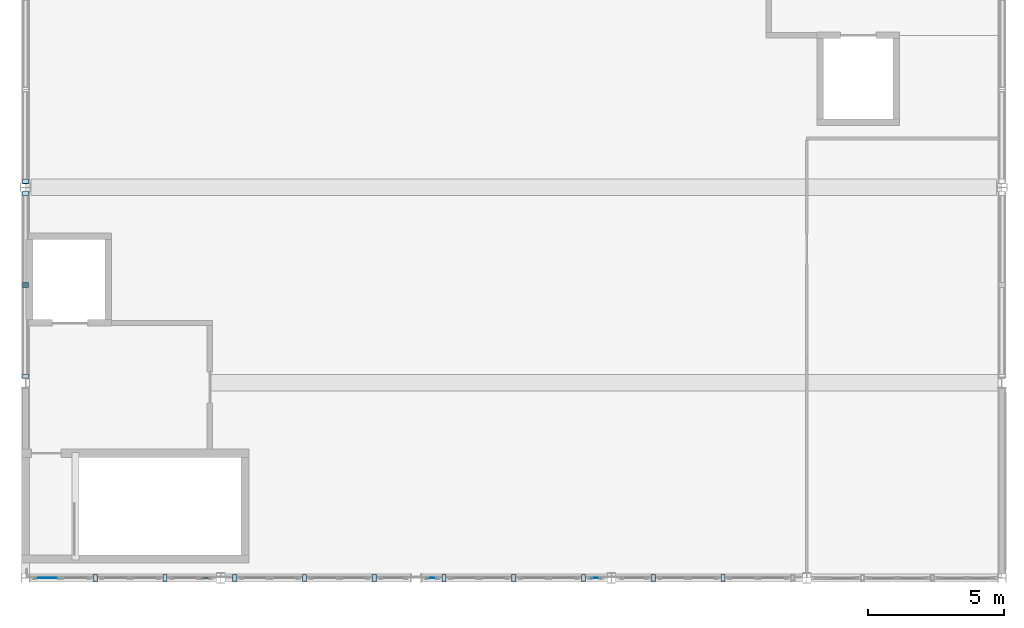
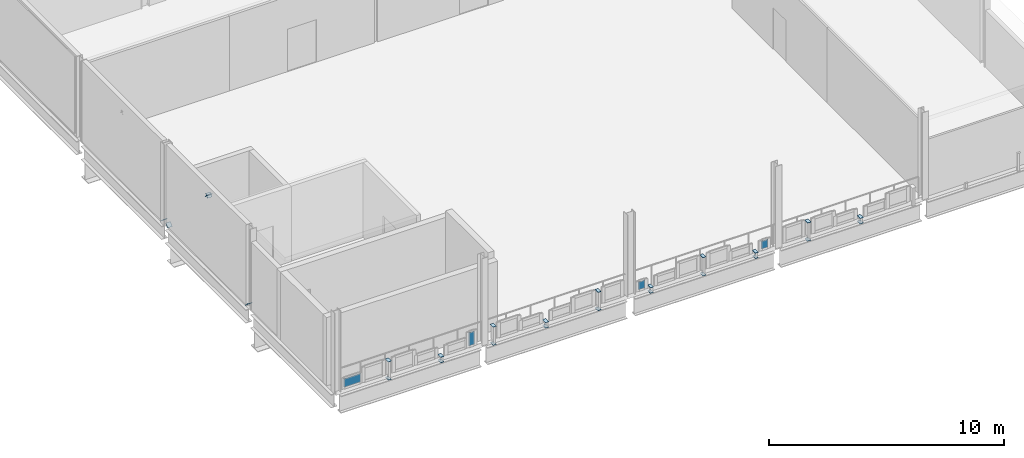
# One storey, part 12 of 20: 29 plates, 4 elements without a shape of their own.
"""IFC4 building model written with IfcOpenShell, lengths in metres."""

from ifc_helpers import new_model, si_unit, direction, frame, origin, origin_2d, place, context, subcontext, project, spatial, rectangle, extrude, material, layer, layer_set, type_object, element, aggregate, save


model = new_model("IFC4")

# Units and contexts
model_context = context("Model", 3, precision=1e-05, world=origin(), true_north=direction((0.0, 1.0)))
body_context = subcontext(model_context, "Body", "Model", "MODEL_VIEW")
ifc_project = project(units=[si_unit("LENGTHUNIT", "METRE"), si_unit("AREAUNIT", "SQUARE_METRE"), si_unit("VOLUMEUNIT", "CUBIC_METRE"), si_unit("PLANEANGLEUNIT", "RADIAN"), si_unit("MASSUNIT", "GRAM", prefix="KILO"), si_unit("THERMODYNAMICTEMPERATUREUNIT", "KELVIN"), si_unit("POWERUNIT", "WATT")], contexts=[model_context])

# Site, building, storey
site_placement = place(None, origin())
site = spatial("IfcSite", under=ifc_project, at=site_placement, CompositionType="ELEMENT")
building_placement = place(site_placement, origin())
building = spatial("IfcBuilding", under=site, at=building_placement, Name="Kaldorven Railside Theatre", CompositionType="ELEMENT")
storey_placement = place(building_placement, frame((0.0, 0.0, 23.10009765625)))
storey = spatial("IfcBuildingStorey", under=building, at=storey_placement, Name="L05", CompositionType="ELEMENT", Elevation=23.10009765625)

# Curtain wall, plate
ifc_material_1 = material(Name="Low-E laminated solar-control glass", Category="glass")
ifc_layer_1 = layer(ifc_material_1, 0.159912109375, Name="Low-E laminated solar-control glass")
ifc_layer_set_1 = layer_set([ifc_layer_1], Name="Low-E laminated solar-control glass")
curtain_wall_type_1 = type_object("IfcCurtainWallType", Name="CWT-41", PredefinedType="USERDEFINED", material=ifc_layer_set_1)
curtain_wall_1_placement = place(storey_placement, origin())
curtain_wall_1 = element("IfcCurtainWall", 1, at=curtain_wall_1_placement, inside=storey, type_object=curtain_wall_type_1, Name="Main Theatre North Ridge Clerestory CWG-033", ObjectType="FLUTED GLAZING", PredefinedType="USERDEFINED")
ifc_layer_2 = layer(ifc_material_1, 0.028076171875, Name="Low-E laminated solar-control glass")
ifc_layer_set_2 = layer_set([ifc_layer_2], Name="Low-E laminated solar-control glass")
plate_type_1 = type_object("IfcPlateType", Name="CWP-GLZ28", PredefinedType="CURTAIN_PANEL", material=ifc_layer_set_2)
plate_1_placement = place(storey_placement, frame((87.992919921875, 84.0, 0.080078125), z_axis=(0.0, 0.0, 1.0), x_axis=(1.0, 0.0, 0.0)))
plate_1 = element("IfcPlate", 2, at=plate_1_placement, type_object=plate_type_1, Name="CWG-033 panel 1.1", PredefinedType="CURTAIN_PANEL", context=body_context, shape_type="SweptSolid", body=[
    extrude(rectangle(XDim=0.825439453125, YDim=0.028076171875, at=origin_2d()), origin(), (0.0, 0.0, 1.0), 0.429931640625),
])
aggregate(curtain_wall_1, [plate_1])

ifc_layer_3 = layer(ifc_material_1, 0.159912109375, Name="Low-E laminated solar-control glass")
ifc_layer_set_3 = layer_set([ifc_layer_3], Name="Low-E laminated solar-control glass")
curtain_wall_type_2 = type_object("IfcCurtainWallType", Name="CWT-44", PredefinedType="USERDEFINED", material=ifc_layer_set_3)
curtain_wall_2_placement = place(storey_placement, origin())
curtain_wall_2 = element("IfcCurtainWall", 3, at=curtain_wall_2_placement, inside=storey, type_object=curtain_wall_type_2, Name="Main Theatre North Ridge Clerestory CWG-038", ObjectType="FLUTED GLAZING", PredefinedType="USERDEFINED")
plate_2_placement = place(storey_placement, frame((93.84423828125, 84.0, 0.080078125), z_axis=(0.0, 0.0, 1.0), x_axis=(1.0, 0.0, 0.0)))
plate_2 = element("IfcPlate", 4, at=plate_2_placement, type_object=plate_type_1, Name="CWG-038 panel 1.1", PredefinedType="CURTAIN_PANEL", context=body_context, shape_type="SweptSolid", body=[
    extrude(rectangle(XDim=0.271484375, YDim=0.028076171875, at=origin_2d()), origin(), (0.0, 0.0, 1.0), 0.679931640625),
])
aggregate(curtain_wall_2, [plate_2])

ifc_layer_4 = layer(ifc_material_1, 0.159912109375, Name="Low-E laminated solar-control glass")
ifc_layer_set_4 = layer_set([ifc_layer_4], Name="Low-E laminated solar-control glass")
curtain_wall_type_3 = type_object("IfcCurtainWallType", Name="CWT-46", PredefinedType="USERDEFINED", material=ifc_layer_set_4)
curtain_wall_3_placement = place(storey_placement, origin())
curtain_wall_3 = element("IfcCurtainWall", 5, at=curtain_wall_3_placement, inside=storey, type_object=curtain_wall_type_3, Name="Main Theatre North Ridge Clerestory CWG-044", ObjectType="FLUTED GLAZING", PredefinedType="USERDEFINED")
plate_3_placement = place(storey_placement, frame((102.184326171875, 84.0, 0.079833984375), z_axis=(0.0, 0.0, 1.0), x_axis=(1.0, 0.0, 0.0)))
plate_3 = element("IfcPlate", 6, at=plate_3_placement, type_object=plate_type_1, Name="CWG-044 panel 1.1", PredefinedType="CURTAIN_PANEL", context=body_context, shape_type="SweptSolid", body=[
    extrude(rectangle(XDim=0.32861328125, YDim=0.028076171875, at=origin_2d()), origin(), (0.0, 0.0, 1.0), 0.39990234375),
])
aggregate(curtain_wall_3, [plate_3])

curtain_wall_4_placement = place(storey_placement, origin())
curtain_wall_4 = element("IfcCurtainWall", 7, at=curtain_wall_4_placement, inside=storey, type_object=curtain_wall_type_3, Name="Main Theatre North Ridge Clerestory CWG-049", ObjectType="FLUTED GLAZING", PredefinedType="USERDEFINED")
plate_4_placement = place(storey_placement, frame((108.2158203125, 84.0, 0.079833984375), z_axis=(0.0, 0.0, 1.0), x_axis=(1.0, 0.0, 0.0)))
plate_4 = element("IfcPlate", 8, at=plate_4_placement, type_object=plate_type_1, Name="CWG-049 panel 1.1", PredefinedType="CURTAIN_PANEL", context=body_context, shape_type="SweptSolid", body=[
    extrude(rectangle(XDim=0.32861328125, YDim=0.028076171875, at=origin_2d()), origin(), (0.0, 0.0, 1.0), 0.39990234375),
])
aggregate(curtain_wall_4, [plate_4])

# Plates
ifc_material_2 = material(Name="Steel S355", Category="steel")
ifc_layer_5 = layer(ifc_material_2, 0.011962890625, Name="Steel S355")
ifc_layer_set_5 = layer_set([ifc_layer_5], Name="Steel S355")
plate_type_2 = type_object("IfcPlateType", Name="PLT-CAP-12", PredefinedType="USERDEFINED", material=ifc_layer_set_5)
for number, where, z_axis, x_axis, name in (
    (9, (87.199951171875, 91.4130859375, 0.03271484375), (0.0, 0.686453193248, 0.727173991201), (-1.0, 0.0, 0.0), "End cap gusset plate PL-0097"),
    (10, (87.199951171875, 94.798583984375, 3.618408203125), (0.0, 0.686453193248, 0.727173991201), (-1.0, 0.0, 0.0), "End cap gusset plate PL-0098"),
    (11, (87.199951171875, 98.186767578125, 0.03271484375), (0.0, -0.686453193248, 0.727173991201), (1.0, 0.0, 0.0), "End cap gusset plate PL-0099"),
    (12, (87.199951171875, 94.801513671875, 3.618408203125), (0.0, -0.686453193248, 0.727173991201), (1.0, 0.0, 0.0), "End cap gusset plate PL-0100"),
    (13, (87.199951171875, 98.613037109375, 0.03271484375), (0.0, 0.686453193248, 0.727173991201), (-1.0, 0.0, 0.0), "End cap gusset plate PL-0101"),
):
    element("IfcPlate", number, at=place(storey_placement, frame(where, z_axis=z_axis, x_axis=x_axis)), inside=storey, type_object=plate_type_2, Name=name, ObjectType="CAP PLATE", PredefinedType="USERDEFINED", context=body_context, shape_type="SweptSolid", body=[
        extrude(rectangle(XDim=0.22802734375, YDim=0.22802734375, at=origin_2d()), origin(), (0.0, 0.0, 1.0), 0.011962890625),
    ])
for number, where, z_axis, x_axis, name in (
    (14, (89.771484375, 84.0, -0.22998046875), (0.0, 0.0, 1.0), (1.0, 0.0, 0.0), "End cap gusset plate PL-0135"),
    (15, (89.771484375, 84.0, 0.71923828125), (0.0, 0.0, 1.0), (1.0, 0.0, 0.0), "End cap gusset plate PL-0136"),
    (16, (92.343017578125, 84.0, -0.22998046875), (0.0, 0.0, 1.0), (1.0, 0.0, 0.0), "End cap gusset plate PL-0137"),
    (17, (92.343017578125, 84.0, 0.05419921875), (0.0, 0.0, 1.0), (1.0, 0.0, 0.0), "End cap gusset plate PL-0138"),
    (18, (94.914306640625, 84.0, -0.22998046875), (0.0, 0.0, 1.0), (1.0, 0.0, 0.0), "End cap gusset plate PL-0139"),
    (19, (94.914306640625, 84.0, 0.71923828125), (0.0, 0.0, 1.0), (1.0, 0.0, 0.0), "End cap gusset plate PL-0140"),
    (20, (97.485595703125, 84.0, -0.22998046875), (0.0, 0.0, 1.0), (1.0, 0.0, 0.0), "End cap gusset plate PL-0141"),
    (21, (97.485595703125, 84.0, 0.05419921875), (0.0, 0.0, 1.0), (1.0, 0.0, 0.0), "End cap gusset plate PL-0142"),
    (22, (100.05712890625, 84.0, -0.22998046875), (0.0, 0.0, 1.0), (1.0, 0.0, 0.0), "End cap gusset plate PL-0143"),
    (23, (100.05712890625, 84.0, 0.71923828125), (0.0, 0.0, 1.0), (1.0, 0.0, 0.0), "End cap gusset plate PL-0144"),
    (24, (102.628662109375, 84.0, -0.22998046875), (0.0, 0.0, 1.0), (1.0, 0.0, 0.0), "End cap gusset plate PL-0145"),
    (25, (102.628662109375, 84.0, 0.05419921875), (0.0, 0.0, 1.0), (1.0, 0.0, 0.0), "End cap gusset plate PL-0146"),
    (26, (105.199951171875, 84.0, -0.22998046875), (0.0, 0.0, 1.0), (1.0, 0.0, 0.0), "End cap gusset plate PL-0147"),
    (27, (105.199951171875, 84.0, 0.71923828125), (0.0, 0.0, 1.0), (1.0, 0.0, 0.0), "End cap gusset plate PL-0148"),
    (28, (107.771484375, 84.0, -0.22998046875), (0.0, 0.0, 1.0), (1.0, 0.0, 0.0), "End cap gusset plate PL-0149"),
    (29, (107.771484375, 84.0, 0.05419921875), (0.0, 0.0, 1.0), (1.0, 0.0, 0.0), "End cap gusset plate PL-0150"),
    (30, (110.3427734375, 84.0, -0.22998046875), (0.0, 0.0, 1.0), (1.0, 0.0, 0.0), "End cap gusset plate PL-0151"),
    (31, (110.3427734375, 84.0, 0.71923828125), (0.0, 0.0, 1.0), (1.0, 0.0, 0.0), "End cap gusset plate PL-0152"),
    (32, (112.914306640625, 84.0, -0.22998046875), (0.0, 0.0, 1.0), (1.0, 0.0, 0.0), "End cap gusset plate PL-0153"),
    (33, (112.914306640625, 84.0, 0.05419921875), (0.0, 0.0, 1.0), (1.0, 0.0, 0.0), "End cap gusset plate PL-0154"),
):
    element("IfcPlate", number, at=place(storey_placement, frame(where, z_axis=z_axis, x_axis=x_axis)), inside=storey, type_object=plate_type_2, Name=name, ObjectType="CAP PLATE", PredefinedType="USERDEFINED", context=body_context, shape_type="SweptSolid", body=[
        extrude(rectangle(XDim=0.159912109375, YDim=0.260009765625, at=origin_2d()), origin(), (0.0, 0.0, 1.0), 0.011962890625),
    ])

save(model, "model.ifc")
